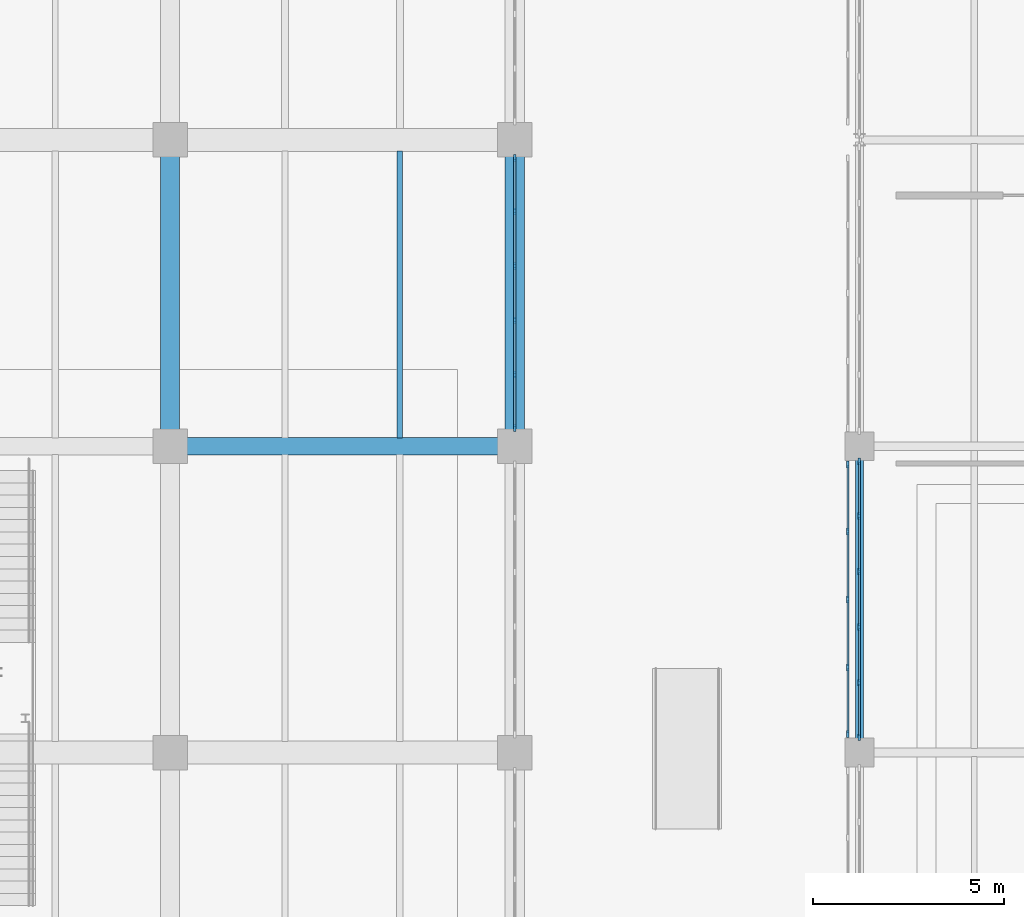
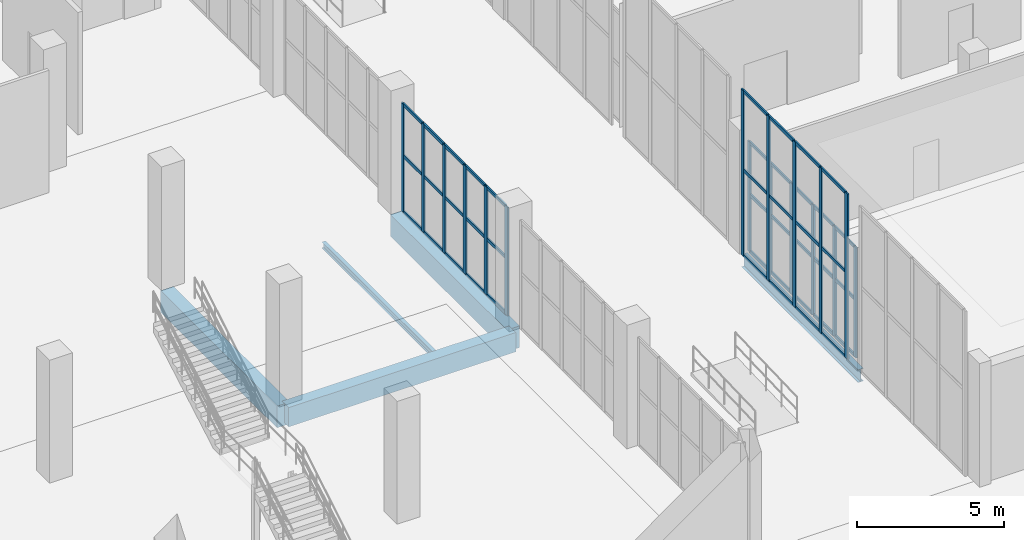
# One storey, part 41 of 103: 59 members, 5 beams, 3 elements without a shape of their own.
"""IFC4 building model written with IfcOpenShell, lengths in metres."""

from ifc_helpers import new_model, si_unit, direction, frame, origin, origin_2d, place, context, subcontext, project, spatial, rectangle, i_section, extrude, material, layer, layer_set, material_profile, profile_set, type_object, element, aggregate, save


model = new_model("IFC4")

# Units and contexts
model_context = context("Model", 3, precision=1e-05, world=origin(), true_north=direction((0.0, 1.0)))
body_context = subcontext(model_context, "Body", "Model", "MODEL_VIEW")
ifc_project = project(units=[si_unit("LENGTHUNIT", "METRE"), si_unit("AREAUNIT", "SQUARE_METRE"), si_unit("VOLUMEUNIT", "CUBIC_METRE"), si_unit("PLANEANGLEUNIT", "RADIAN"), si_unit("MASSUNIT", "GRAM", prefix="KILO")], contexts=[model_context])

# Site, building, storey
site_placement = place(None, origin())
site = spatial("IfcSite", under=ifc_project, at=site_placement, CompositionType="ELEMENT")
building_placement = place(site_placement, origin())
building = spatial("IfcBuilding", under=site, at=building_placement, Name="Marnock Terrace Opera House", CompositionType="ELEMENT")
storey_placement = place(building_placement, origin())
storey = spatial("IfcBuildingStorey", under=building, at=storey_placement, Name="L00", CompositionType="ELEMENT", Elevation=0.0)

# Beams
ifc_material_1 = material(Name="Concrete N40 (f'c = 40 MPa)", Category="concrete")
ifc_material_profile_1 = material_profile(ifc_material_1, rectangle(XDim=0.449951171875, YDim=0.800048828125, at=origin_2d()))
ifc_profile_set_1 = profile_set([ifc_material_profile_1], Name="Concrete N40 (f'c = 40 MPa)")
beam_type_1 = type_object("IfcBeamType", Name="BM-B1-RC450", PredefinedType="BEAM", material=ifc_profile_set_1)
beam_1_placement = place(storey_placement, frame((100.050048828125, 24.0, -0.699951171875), z_axis=(1.0, 0.0, 0.0), x_axis=(0.0, 1.0, 0.0)))
element("IfcBeam", 1, at=beam_1_placement, inside=storey, type_object=beam_type_1, Name="L00 girder (100.0..109.0, Y=24.0)", PredefinedType="BEAM", context=body_context, shape_type="SweptSolid", body=[
    extrude(rectangle(XDim=0.449951171875, YDim=0.800048828125, at=origin_2d()), origin(), (0.0, 0.0, 1.0), 8.89990234375),
])
ifc_material_profile_2 = material_profile(ifc_material_1, rectangle(XDim=0.5, YDim=0.89990234375, at=origin_2d()))
ifc_profile_set_2 = profile_set([ifc_material_profile_2], Name="Concrete N40 (f'c = 40 MPa)")
beam_type_2 = type_object("IfcBeamType", Name="BM-B1-RC500", PredefinedType="BEAM", material=ifc_profile_set_2)
for number, where, z_axis, x_axis, name in (
    (2, (100.0, 24.050048828125, -0.75), (0.0, 1.0, 0.0), (-1.0, 0.0, 0.0), "L00 girder (X=100.0, 24.0..32.0)"),
    (3, (109.0, 24.050048828125, -0.75), (0.0, 1.0, 0.0), (-1.0, 0.0, 0.0), "L00 girder (X=109.0, 24.0..32.0)"),
):
    element("IfcBeam", number, at=place(storey_placement, frame(where, z_axis=z_axis, x_axis=x_axis)), inside=storey, type_object=beam_type_2, Name=name, PredefinedType="BEAM", context=body_context, shape_type="SweptSolid", body=[
        extrude(rectangle(XDim=0.5, YDim=0.89990234375, at=origin_2d()), origin(), (0.0, 0.0, 1.0), 7.89990234375),
    ])
ifc_material_2 = material(Name="Steel Grade 350 (AS/NZS 3679.1)", Category="steel")
ifc_material_profile_3 = material_profile(ifc_material_2, i_section(OverallWidth=0.208984375, OverallDepth=0.528076171875, WebThickness=0.009521484375, FlangeThickness=0.01318359375, FilletRadius=0.013916015625, at=origin_2d()))
ifc_profile_set_3 = profile_set([ifc_material_profile_3], Name="Steel Grade 350 (AS/NZS 3679.1)")
beam_type_3 = type_object("IfcBeamType", Name="BM-GIRD-530B", PredefinedType="BEAM", material=ifc_profile_set_3)
beam_2_placement = place(storey_placement, frame((118.0, 16.050048828125, -0.56396484375), z_axis=(0.0, 1.0, 0.0), x_axis=(-1.0, 0.0, 0.0)))
element("IfcBeam", 4, at=beam_2_placement, inside=storey, type_object=beam_type_3, Name="L00 girder (X=118.0, 16.0..24.0)", PredefinedType="BEAM", context=body_context, shape_type="SweptSolid", body=[
    extrude(i_section(OverallWidth=0.208984375, OverallDepth=0.528076171875, WebThickness=0.009521484375, FlangeThickness=0.01318359375, FilletRadius=0.013916015625, at=origin_2d()), origin(), (0.0, 0.0, 1.0), 7.89990234375),
])
ifc_material_profile_4 = material_profile(ifc_material_2, i_section(OverallWidth=0.14599609375, OverallDepth=0.256103515625, WebThickness=0.00634765625, FlangeThickness=0.010986328125, FilletRadius=0.0087890625, at=origin_2d()))
ifc_profile_set_4 = profile_set([ifc_material_profile_4], Name="Steel Grade 350 (AS/NZS 3679.1)")
beam_type_4 = type_object("IfcBeamType", Name="BM-JOIST-250", PredefinedType="JOIST", material=ifc_profile_set_4)
beam_3_placement = place(storey_placement, frame((106.0, 24.219970703125, -0.427978515625), z_axis=(0.0, 1.0, 0.0), x_axis=(-1.0, 0.0, 0.0)))
element("IfcBeam", 5, at=beam_3_placement, inside=storey, type_object=beam_type_4, Name="L00 secondary joist 11.3.2", PredefinedType="JOIST", context=body_context, shape_type="SweptSolid", body=[
    extrude(i_section(OverallWidth=0.14599609375, OverallDepth=0.256103515625, WebThickness=0.00634765625, FlangeThickness=0.010986328125, FilletRadius=0.0087890625, at=origin_2d()), origin(), (0.0, 0.0, 1.0), 7.485107421875),
])

# Curtain wall, members
ifc_material_3 = material(Name="Anodised architectural bronze aluminium framing", Category="aluminium")
ifc_layer_1 = layer(ifc_material_3, 0.159912109375)
ifc_layer_set_1 = layer_set([ifc_layer_1], Name="Anodised architectural bronze aluminium framing")
curtain_wall_type_1 = type_object("IfcCurtainWallType", Name="CW-FOYER-80x51", PredefinedType="NOTDEFINED", material=ifc_layer_set_1)
curtain_wall_1_placement = place(storey_placement, origin())
curtain_wall_1 = element("IfcCurtainWall", 6, at=curtain_wall_1_placement, inside=storey, type_object=curtain_wall_type_1, Name="L00 glazed Beaux-Arts colonnade curtain wall CW-V1E-L00-03", PredefinedType="NOTDEFINED")
ifc_material_profile_5 = material_profile(ifc_material_3, rectangle(XDim=0.06494140625, YDim=0.179931640625, at=origin_2d()))
ifc_profile_set_5 = profile_set([ifc_material_profile_5], Name="Anodised architectural bronze aluminium framing")
member_type_1 = type_object("IfcMemberType", Name="CWM-65x180", PredefinedType="MULLION", material=ifc_profile_set_5)
member_1_placement = place(storey_placement, frame((109.0, 24.47607421875, 0.0), z_axis=(0.0, 0.0, 1.0), x_axis=(-1.0, 0.0, 0.0)))
member_1 = element("IfcMember", 7, at=member_1_placement, type_object=member_type_1, Name="CW-73 mullion 1", PredefinedType="MULLION", context=body_context, shape_type="SweptSolid", body=[
    extrude(rectangle(XDim=0.06494140625, YDim=0.179931640625, at=origin_2d()), origin(), (0.0, 0.0, 1.0), 4.488037109375),
])
member_2_placement = place(storey_placement, frame((109.0, 25.86767578125, 0.0), z_axis=(0.0, 0.0, 1.0), x_axis=(-1.0, 0.0, 0.0)))
member_2 = element("IfcMember", 8, at=member_2_placement, type_object=member_type_1, Name="CW-73 mullion 2", PredefinedType="MULLION", context=body_context, shape_type="SweptSolid", body=[
    extrude(rectangle(XDim=0.06494140625, YDim=0.179931640625, at=origin_2d()), origin(), (0.0, 0.0, 1.0), 4.488037109375),
])
member_3_placement = place(storey_placement, frame((109.0, 27.289306640625, 0.0), z_axis=(0.0, 0.0, 1.0), x_axis=(-1.0, 0.0, 0.0)))
member_3 = element("IfcMember", 9, at=member_3_placement, type_object=member_type_1, Name="CW-73 mullion 3", PredefinedType="MULLION", context=body_context, shape_type="SweptSolid", body=[
    extrude(rectangle(XDim=0.06494140625, YDim=0.179931640625, at=origin_2d()), origin(), (0.0, 0.0, 1.0), 4.488037109375),
])
member_4_placement = place(storey_placement, frame((109.0, 28.710693359375, 0.0), z_axis=(0.0, 0.0, 1.0), x_axis=(-1.0, 0.0, 0.0)))
member_4 = element("IfcMember", 10, at=member_4_placement, type_object=member_type_1, Name="CW-73 mullion 4", PredefinedType="MULLION", context=body_context, shape_type="SweptSolid", body=[
    extrude(rectangle(XDim=0.06494140625, YDim=0.179931640625, at=origin_2d()), origin(), (0.0, 0.0, 1.0), 4.488037109375),
])
member_5_placement = place(storey_placement, frame((109.0, 30.13232421875, 0.0), z_axis=(0.0, 0.0, 1.0), x_axis=(-1.0, 0.0, 0.0)))
member_5 = element("IfcMember", 11, at=member_5_placement, type_object=member_type_1, Name="CW-73 mullion 5", PredefinedType="MULLION", context=body_context, shape_type="SweptSolid", body=[
    extrude(rectangle(XDim=0.06494140625, YDim=0.179931640625, at=origin_2d()), origin(), (0.0, 0.0, 1.0), 4.488037109375),
])
member_6_placement = place(storey_placement, frame((109.0, 31.52392578125, 0.0), z_axis=(0.0, 0.0, 1.0), x_axis=(-1.0, 0.0, 0.0)))
member_6 = element("IfcMember", 12, at=member_6_placement, type_object=member_type_1, Name="CW-73 mullion 6", PredefinedType="MULLION", context=body_context, shape_type="SweptSolid", body=[
    extrude(rectangle(XDim=0.06494140625, YDim=0.179931640625, at=origin_2d()), origin(), (0.0, 0.0, 1.0), 4.488037109375),
])

ifc_layer_2 = layer(ifc_material_3, 0.159912109375)
ifc_layer_set_2 = layer_set([ifc_layer_2], Name="Anodised architectural bronze aluminium framing")
curtain_wall_type_2 = type_object("IfcCurtainWallType", Name="CW-LOGGIA-86x51", PredefinedType="NOTDEFINED", material=ifc_layer_set_2)
curtain_wall_2_placement = place(storey_placement, origin())
curtain_wall_2 = element("IfcCurtainWall", 13, at=curtain_wall_2_placement, inside=storey, type_object=curtain_wall_type_2, Name="L00 glazed Beaux-Arts colonnade curtain wall CW-V5-L00-W2", PredefinedType="NOTDEFINED")
member_7_placement = place(storey_placement, frame((118.0, 16.40087890625, 0.0), z_axis=(0.0, 0.0, 1.0), x_axis=(-1.0, 0.0, 0.0)))
member_7 = element("IfcMember", 14, at=member_7_placement, type_object=member_type_1, Name="CW-96 mullion 1", PredefinedType="MULLION", context=body_context, shape_type="SweptSolid", body=[
    extrude(rectangle(XDim=0.06494140625, YDim=0.179931640625, at=origin_2d()), origin(), (0.0, 0.0, 1.0), 4.56201171875),
])
member_8_placement = place(storey_placement, frame((118.0, 17.822509765625, 0.0), z_axis=(0.0, 0.0, 1.0), x_axis=(-1.0, 0.0, 0.0)))
member_8 = element("IfcMember", 15, at=member_8_placement, type_object=member_type_1, Name="CW-96 mullion 2", PredefinedType="MULLION", context=body_context, shape_type="SweptSolid", body=[
    extrude(rectangle(XDim=0.06494140625, YDim=0.179931640625, at=origin_2d()), origin(), (0.0, 0.0, 1.0), 4.56201171875),
])
member_9_placement = place(storey_placement, frame((118.0, 19.274169921875, 0.0), z_axis=(0.0, 0.0, 1.0), x_axis=(-1.0, 0.0, 0.0)))
member_9 = element("IfcMember", 16, at=member_9_placement, type_object=member_type_1, Name="CW-96 mullion 3", PredefinedType="MULLION", context=body_context, shape_type="SweptSolid", body=[
    extrude(rectangle(XDim=0.06494140625, YDim=0.179931640625, at=origin_2d()), origin(), (0.0, 0.0, 1.0), 4.56201171875),
])
member_10_placement = place(storey_placement, frame((118.0, 20.725830078125, 0.0), z_axis=(0.0, 0.0, 1.0), x_axis=(-1.0, 0.0, 0.0)))
member_10 = element("IfcMember", 17, at=member_10_placement, type_object=member_type_1, Name="CW-96 mullion 4", PredefinedType="MULLION", context=body_context, shape_type="SweptSolid", body=[
    extrude(rectangle(XDim=0.06494140625, YDim=0.179931640625, at=origin_2d()), origin(), (0.0, 0.0, 1.0), 4.56201171875),
])
member_11_placement = place(storey_placement, frame((118.0, 22.177490234375, 0.0), z_axis=(0.0, 0.0, 1.0), x_axis=(-1.0, 0.0, 0.0)))
member_11 = element("IfcMember", 18, at=member_11_placement, type_object=member_type_1, Name="CW-96 mullion 5", PredefinedType="MULLION", context=body_context, shape_type="SweptSolid", body=[
    extrude(rectangle(XDim=0.06494140625, YDim=0.179931640625, at=origin_2d()), origin(), (0.0, 0.0, 1.0), 4.56201171875),
])
member_12_placement = place(storey_placement, frame((118.0, 23.59912109375, 0.0), z_axis=(0.0, 0.0, 1.0), x_axis=(-1.0, 0.0, 0.0)))
member_12 = element("IfcMember", 19, at=member_12_placement, type_object=member_type_1, Name="CW-96 mullion 6", PredefinedType="MULLION", context=body_context, shape_type="SweptSolid", body=[
    extrude(rectangle(XDim=0.06494140625, YDim=0.179931640625, at=origin_2d()), origin(), (0.0, 0.0, 1.0), 4.56201171875),
])

ifc_layer_3 = layer(ifc_material_3, 0.159912109375)
ifc_layer_set_3 = layer_set([ifc_layer_3], Name="Anodised architectural bronze aluminium framing")
curtain_wall_type_3 = type_object("IfcCurtainWallType", Name="CW-PASSAGE-71x68", PredefinedType="NOTDEFINED", material=ifc_layer_set_3)
curtain_wall_3_placement = place(storey_placement, origin())
curtain_wall_3 = element("IfcCurtainWall", 20, at=curtain_wall_3_placement, inside=storey, type_object=curtain_wall_type_3, Name="L00 glazed Beaux-Arts colonnade curtain wall CW-PASSAGE-L00-02", PredefinedType="NOTDEFINED")
member_13_placement = place(storey_placement, frame((117.699951171875, 16.47998046875, 0.0), z_axis=(0.0, 0.0, 1.0), x_axis=(-1.0, 0.0, 0.0)))
member_13 = element("IfcMember", 21, at=member_13_placement, type_object=member_type_1, Name="CW-33 mullion 1", PredefinedType="MULLION", context=body_context, shape_type="SweptSolid", body=[
    extrude(rectangle(XDim=0.06494140625, YDim=0.179931640625, at=origin_2d()), origin(), (0.0, 0.0, 1.0), 6.85009765625),
])
member_14_placement = place(storey_placement, frame((117.699951171875, 18.22509765625, 0.0), z_axis=(0.0, 0.0, 1.0), x_axis=(-1.0, 0.0, 0.0)))
member_14 = element("IfcMember", 22, at=member_14_placement, type_object=member_type_1, Name="CW-33 mullion 2", PredefinedType="MULLION", context=body_context, shape_type="SweptSolid", body=[
    extrude(rectangle(XDim=0.06494140625, YDim=0.179931640625, at=origin_2d()), origin(), (0.0, 0.0, 1.0), 6.85009765625),
])
member_15_placement = place(storey_placement, frame((117.699951171875, 20.0, 0.0), z_axis=(0.0, 0.0, 1.0), x_axis=(-1.0, 0.0, 0.0)))
member_15 = element("IfcMember", 23, at=member_15_placement, type_object=member_type_1, Name="CW-33 mullion 3", PredefinedType="MULLION", context=body_context, shape_type="SweptSolid", body=[
    extrude(rectangle(XDim=0.06494140625, YDim=0.179931640625, at=origin_2d()), origin(), (0.0, 0.0, 1.0), 6.85009765625),
])
member_16_placement = place(storey_placement, frame((117.699951171875, 21.77490234375, 0.0), z_axis=(0.0, 0.0, 1.0), x_axis=(-1.0, 0.0, 0.0)))
member_16 = element("IfcMember", 24, at=member_16_placement, type_object=member_type_1, Name="CW-33 mullion 4", PredefinedType="MULLION", context=body_context, shape_type="SweptSolid", body=[
    extrude(rectangle(XDim=0.06494140625, YDim=0.179931640625, at=origin_2d()), origin(), (0.0, 0.0, 1.0), 6.85009765625),
])
member_17_placement = place(storey_placement, frame((117.699951171875, 23.52001953125, 0.0), z_axis=(0.0, 0.0, 1.0), x_axis=(-1.0, 0.0, 0.0)))
member_17 = element("IfcMember", 25, at=member_17_placement, type_object=member_type_1, Name="CW-33 mullion 5", PredefinedType="MULLION", context=body_context, shape_type="SweptSolid", body=[
    extrude(rectangle(XDim=0.06494140625, YDim=0.179931640625, at=origin_2d()), origin(), (0.0, 0.0, 1.0), 6.85009765625),
])

# Member
ifc_material_profile_6 = material_profile(ifc_material_3, rectangle(XDim=0.06005859375, YDim=0.1298828125, at=origin_2d()))
ifc_profile_set_6 = profile_set([ifc_material_profile_6], Name="Anodised architectural bronze aluminium framing")
member_type_2 = type_object("IfcMemberType", Name="CWT-60x130", PredefinedType="USERDEFINED", material=ifc_profile_set_6)
member_18_placement = place(storey_placement, frame((109.0, 24.506103515625, 0.030029296875), z_axis=(0.0, 1.0, 0.0), x_axis=(-1.0, 0.0, 0.0)))
member_18 = element("IfcMember", 26, at=member_18_placement, type_object=member_type_2, Name="CW-73 transom 1.1", ObjectType="TRANSOM", PredefinedType="USERDEFINED", context=body_context, shape_type="SweptSolid", body=[
    extrude(rectangle(XDim=0.06005859375, YDim=0.1298828125, at=origin_2d()), origin(), (0.0, 0.0, 1.0), 1.33154296875),
])

member_19_placement = place(storey_placement, frame((109.0, 24.506103515625, 2.333740234375), z_axis=(0.0, 1.0, 0.0), x_axis=(-1.0, 0.0, 0.0)))
member_19 = element("IfcMember", 27, at=member_19_placement, type_object=member_type_2, Name="CW-73 transom 1.2", ObjectType="TRANSOM", PredefinedType="USERDEFINED", context=body_context, shape_type="SweptSolid", body=[
    extrude(rectangle(XDim=0.06005859375, YDim=0.1298828125, at=origin_2d()), origin(), (0.0, 0.0, 1.0), 1.33154296875),
])

member_20_placement = place(storey_placement, frame((109.0, 24.506103515625, 4.4580078125), z_axis=(0.0, 1.0, 0.0), x_axis=(-1.0, 0.0, 0.0)))
member_20 = element("IfcMember", 28, at=member_20_placement, type_object=member_type_2, Name="CW-73 transom 1.3", ObjectType="TRANSOM", PredefinedType="USERDEFINED", context=body_context, shape_type="SweptSolid", body=[
    extrude(rectangle(XDim=0.06005859375, YDim=0.1298828125, at=origin_2d()), origin(), (0.0, 0.0, 1.0), 1.33154296875),
])

member_21_placement = place(storey_placement, frame((109.0, 25.897705078125, 0.030029296875), z_axis=(0.0, 1.0, 0.0), x_axis=(-1.0, 0.0, 0.0)))
member_21 = element("IfcMember", 29, at=member_21_placement, type_object=member_type_2, Name="CW-73 transom 2.1", ObjectType="TRANSOM", PredefinedType="USERDEFINED", context=body_context, shape_type="SweptSolid", body=[
    extrude(rectangle(XDim=0.06005859375, YDim=0.1298828125, at=origin_2d()), origin(), (0.0, 0.0, 1.0), 1.361572265625),
])

member_22_placement = place(storey_placement, frame((109.0, 25.897705078125, 2.333740234375), z_axis=(0.0, 1.0, 0.0), x_axis=(-1.0, 0.0, 0.0)))
member_22 = element("IfcMember", 30, at=member_22_placement, type_object=member_type_2, Name="CW-73 transom 2.2", ObjectType="TRANSOM", PredefinedType="USERDEFINED", context=body_context, shape_type="SweptSolid", body=[
    extrude(rectangle(XDim=0.06005859375, YDim=0.1298828125, at=origin_2d()), origin(), (0.0, 0.0, 1.0), 1.361572265625),
])

member_23_placement = place(storey_placement, frame((109.0, 25.897705078125, 4.4580078125), z_axis=(0.0, 1.0, 0.0), x_axis=(-1.0, 0.0, 0.0)))
member_23 = element("IfcMember", 31, at=member_23_placement, type_object=member_type_2, Name="CW-73 transom 2.3", ObjectType="TRANSOM", PredefinedType="USERDEFINED", context=body_context, shape_type="SweptSolid", body=[
    extrude(rectangle(XDim=0.06005859375, YDim=0.1298828125, at=origin_2d()), origin(), (0.0, 0.0, 1.0), 1.361572265625),
])

member_24_placement = place(storey_placement, frame((109.0, 27.319091796875, 0.030029296875), z_axis=(0.0, 1.0, 0.0), x_axis=(-1.0, 0.0, 0.0)))
member_24 = element("IfcMember", 32, at=member_24_placement, type_object=member_type_2, Name="CW-73 transom 3.1", ObjectType="TRANSOM", PredefinedType="USERDEFINED", context=body_context, shape_type="SweptSolid", body=[
    extrude(rectangle(XDim=0.06005859375, YDim=0.1298828125, at=origin_2d()), origin(), (0.0, 0.0, 1.0), 1.36181640625),
])

member_25_placement = place(storey_placement, frame((109.0, 27.319091796875, 2.333740234375), z_axis=(0.0, 1.0, 0.0), x_axis=(-1.0, 0.0, 0.0)))
member_25 = element("IfcMember", 33, at=member_25_placement, type_object=member_type_2, Name="CW-73 transom 3.2", ObjectType="TRANSOM", PredefinedType="USERDEFINED", context=body_context, shape_type="SweptSolid", body=[
    extrude(rectangle(XDim=0.06005859375, YDim=0.1298828125, at=origin_2d()), origin(), (0.0, 0.0, 1.0), 1.36181640625),
])

member_26_placement = place(storey_placement, frame((109.0, 27.319091796875, 4.4580078125), z_axis=(0.0, 1.0, 0.0), x_axis=(-1.0, 0.0, 0.0)))
member_26 = element("IfcMember", 34, at=member_26_placement, type_object=member_type_2, Name="CW-73 transom 3.3", ObjectType="TRANSOM", PredefinedType="USERDEFINED", context=body_context, shape_type="SweptSolid", body=[
    extrude(rectangle(XDim=0.06005859375, YDim=0.1298828125, at=origin_2d()), origin(), (0.0, 0.0, 1.0), 1.36181640625),
])

member_27_placement = place(storey_placement, frame((109.0, 28.74072265625, 0.030029296875), z_axis=(0.0, 1.0, 0.0), x_axis=(-1.0, 0.0, 0.0)))
member_27 = element("IfcMember", 35, at=member_27_placement, type_object=member_type_2, Name="CW-73 transom 4.1", ObjectType="TRANSOM", PredefinedType="USERDEFINED", context=body_context, shape_type="SweptSolid", body=[
    extrude(rectangle(XDim=0.06005859375, YDim=0.1298828125, at=origin_2d()), origin(), (0.0, 0.0, 1.0), 1.361572265625),
])

member_28_placement = place(storey_placement, frame((109.0, 28.74072265625, 2.333740234375), z_axis=(0.0, 1.0, 0.0), x_axis=(-1.0, 0.0, 0.0)))
member_28 = element("IfcMember", 36, at=member_28_placement, type_object=member_type_2, Name="CW-73 transom 4.2", ObjectType="TRANSOM", PredefinedType="USERDEFINED", context=body_context, shape_type="SweptSolid", body=[
    extrude(rectangle(XDim=0.06005859375, YDim=0.1298828125, at=origin_2d()), origin(), (0.0, 0.0, 1.0), 1.361572265625),
])

member_29_placement = place(storey_placement, frame((109.0, 28.74072265625, 4.4580078125), z_axis=(0.0, 1.0, 0.0), x_axis=(-1.0, 0.0, 0.0)))
member_29 = element("IfcMember", 37, at=member_29_placement, type_object=member_type_2, Name="CW-73 transom 4.3", ObjectType="TRANSOM", PredefinedType="USERDEFINED", context=body_context, shape_type="SweptSolid", body=[
    extrude(rectangle(XDim=0.06005859375, YDim=0.1298828125, at=origin_2d()), origin(), (0.0, 0.0, 1.0), 1.361572265625),
])

member_30_placement = place(storey_placement, frame((109.0, 30.162353515625, 0.030029296875), z_axis=(0.0, 1.0, 0.0), x_axis=(-1.0, 0.0, 0.0)))
member_30 = element("IfcMember", 38, at=member_30_placement, type_object=member_type_2, Name="CW-73 transom 5.1", ObjectType="TRANSOM", PredefinedType="USERDEFINED", context=body_context, shape_type="SweptSolid", body=[
    extrude(rectangle(XDim=0.06005859375, YDim=0.1298828125, at=origin_2d()), origin(), (0.0, 0.0, 1.0), 1.33154296875),
])

member_31_placement = place(storey_placement, frame((109.0, 30.162353515625, 2.333740234375), z_axis=(0.0, 1.0, 0.0), x_axis=(-1.0, 0.0, 0.0)))
member_31 = element("IfcMember", 39, at=member_31_placement, type_object=member_type_2, Name="CW-73 transom 5.2", ObjectType="TRANSOM", PredefinedType="USERDEFINED", context=body_context, shape_type="SweptSolid", body=[
    extrude(rectangle(XDim=0.06005859375, YDim=0.1298828125, at=origin_2d()), origin(), (0.0, 0.0, 1.0), 1.33154296875),
])

member_32_placement = place(storey_placement, frame((109.0, 30.162353515625, 4.4580078125), z_axis=(0.0, 1.0, 0.0), x_axis=(-1.0, 0.0, 0.0)))
member_32 = element("IfcMember", 40, at=member_32_placement, type_object=member_type_2, Name="CW-73 transom 5.3", ObjectType="TRANSOM", PredefinedType="USERDEFINED", context=body_context, shape_type="SweptSolid", body=[
    extrude(rectangle(XDim=0.06005859375, YDim=0.1298828125, at=origin_2d()), origin(), (0.0, 0.0, 1.0), 1.33154296875),
])

aggregate(curtain_wall_1, [member_1, member_2, member_3, member_4, member_5, member_6, member_18, member_19, member_20, member_21, member_22, member_23, member_24, member_25, member_26, member_27, member_28, member_29, member_30, member_31, member_32])

member_33_placement = place(storey_placement, frame((118.0, 16.430908203125, 0.030029296875), z_axis=(0.0, 1.0, 0.0), x_axis=(-1.0, 0.0, 0.0)))
member_33 = element("IfcMember", 41, at=member_33_placement, type_object=member_type_2, Name="CW-96 transom 1.1", ObjectType="TRANSOM", PredefinedType="USERDEFINED", context=body_context, shape_type="SweptSolid", body=[
    extrude(rectangle(XDim=0.06005859375, YDim=0.1298828125, at=origin_2d()), origin(), (0.0, 0.0, 1.0), 1.361572265625),
])

member_34_placement = place(storey_placement, frame((118.0, 16.430908203125, 2.372314453125), z_axis=(0.0, 1.0, 0.0), x_axis=(-1.0, 0.0, 0.0)))
member_34 = element("IfcMember", 42, at=member_34_placement, type_object=member_type_2, Name="CW-96 transom 1.2", ObjectType="TRANSOM", PredefinedType="USERDEFINED", context=body_context, shape_type="SweptSolid", body=[
    extrude(rectangle(XDim=0.06005859375, YDim=0.1298828125, at=origin_2d()), origin(), (0.0, 0.0, 1.0), 1.361572265625),
])

member_35_placement = place(storey_placement, frame((118.0, 16.430908203125, 4.531982421875), z_axis=(0.0, 1.0, 0.0), x_axis=(-1.0, 0.0, 0.0)))
member_35 = element("IfcMember", 43, at=member_35_placement, type_object=member_type_2, Name="CW-96 transom 1.3", ObjectType="TRANSOM", PredefinedType="USERDEFINED", context=body_context, shape_type="SweptSolid", body=[
    extrude(rectangle(XDim=0.06005859375, YDim=0.1298828125, at=origin_2d()), origin(), (0.0, 0.0, 1.0), 1.361572265625),
])

member_36_placement = place(storey_placement, frame((118.0, 17.8525390625, 0.030029296875), z_axis=(0.0, 1.0, 0.0), x_axis=(-1.0, 0.0, 0.0)))
member_36 = element("IfcMember", 44, at=member_36_placement, type_object=member_type_2, Name="CW-96 transom 2.1", ObjectType="TRANSOM", PredefinedType="USERDEFINED", context=body_context, shape_type="SweptSolid", body=[
    extrude(rectangle(XDim=0.06005859375, YDim=0.1298828125, at=origin_2d()), origin(), (0.0, 0.0, 1.0), 1.3916015625),
])

member_37_placement = place(storey_placement, frame((118.0, 17.8525390625, 2.372314453125), z_axis=(0.0, 1.0, 0.0), x_axis=(-1.0, 0.0, 0.0)))
member_37 = element("IfcMember", 45, at=member_37_placement, type_object=member_type_2, Name="CW-96 transom 2.2", ObjectType="TRANSOM", PredefinedType="USERDEFINED", context=body_context, shape_type="SweptSolid", body=[
    extrude(rectangle(XDim=0.06005859375, YDim=0.1298828125, at=origin_2d()), origin(), (0.0, 0.0, 1.0), 1.3916015625),
])

member_38_placement = place(storey_placement, frame((118.0, 17.8525390625, 4.531982421875), z_axis=(0.0, 1.0, 0.0), x_axis=(-1.0, 0.0, 0.0)))
member_38 = element("IfcMember", 46, at=member_38_placement, type_object=member_type_2, Name="CW-96 transom 2.3", ObjectType="TRANSOM", PredefinedType="USERDEFINED", context=body_context, shape_type="SweptSolid", body=[
    extrude(rectangle(XDim=0.06005859375, YDim=0.1298828125, at=origin_2d()), origin(), (0.0, 0.0, 1.0), 1.3916015625),
])

member_39_placement = place(storey_placement, frame((118.0, 19.30419921875, 0.030029296875), z_axis=(0.0, 1.0, 0.0), x_axis=(-1.0, 0.0, 0.0)))
member_39 = element("IfcMember", 47, at=member_39_placement, type_object=member_type_2, Name="CW-96 transom 3.1", ObjectType="TRANSOM", PredefinedType="USERDEFINED", context=body_context, shape_type="SweptSolid", body=[
    extrude(rectangle(XDim=0.06005859375, YDim=0.1298828125, at=origin_2d()), origin(), (0.0, 0.0, 1.0), 1.3916015625),
])

member_40_placement = place(storey_placement, frame((118.0, 19.30419921875, 2.372314453125), z_axis=(0.0, 1.0, 0.0), x_axis=(-1.0, 0.0, 0.0)))
member_40 = element("IfcMember", 48, at=member_40_placement, type_object=member_type_2, Name="CW-96 transom 3.2", ObjectType="TRANSOM", PredefinedType="USERDEFINED", context=body_context, shape_type="SweptSolid", body=[
    extrude(rectangle(XDim=0.06005859375, YDim=0.1298828125, at=origin_2d()), origin(), (0.0, 0.0, 1.0), 1.3916015625),
])

member_41_placement = place(storey_placement, frame((118.0, 19.30419921875, 4.531982421875), z_axis=(0.0, 1.0, 0.0), x_axis=(-1.0, 0.0, 0.0)))
member_41 = element("IfcMember", 49, at=member_41_placement, type_object=member_type_2, Name="CW-96 transom 3.3", ObjectType="TRANSOM", PredefinedType="USERDEFINED", context=body_context, shape_type="SweptSolid", body=[
    extrude(rectangle(XDim=0.06005859375, YDim=0.1298828125, at=origin_2d()), origin(), (0.0, 0.0, 1.0), 1.3916015625),
])

member_42_placement = place(storey_placement, frame((118.0, 20.755859375, 0.030029296875), z_axis=(0.0, 1.0, 0.0), x_axis=(-1.0, 0.0, 0.0)))
member_42 = element("IfcMember", 50, at=member_42_placement, type_object=member_type_2, Name="CW-96 transom 4.1", ObjectType="TRANSOM", PredefinedType="USERDEFINED", context=body_context, shape_type="SweptSolid", body=[
    extrude(rectangle(XDim=0.06005859375, YDim=0.1298828125, at=origin_2d()), origin(), (0.0, 0.0, 1.0), 1.3916015625),
])

member_43_placement = place(storey_placement, frame((118.0, 20.755859375, 2.372314453125), z_axis=(0.0, 1.0, 0.0), x_axis=(-1.0, 0.0, 0.0)))
member_43 = element("IfcMember", 51, at=member_43_placement, type_object=member_type_2, Name="CW-96 transom 4.2", ObjectType="TRANSOM", PredefinedType="USERDEFINED", context=body_context, shape_type="SweptSolid", body=[
    extrude(rectangle(XDim=0.06005859375, YDim=0.1298828125, at=origin_2d()), origin(), (0.0, 0.0, 1.0), 1.3916015625),
])

member_44_placement = place(storey_placement, frame((118.0, 20.755859375, 4.531982421875), z_axis=(0.0, 1.0, 0.0), x_axis=(-1.0, 0.0, 0.0)))
member_44 = element("IfcMember", 52, at=member_44_placement, type_object=member_type_2, Name="CW-96 transom 4.3", ObjectType="TRANSOM", PredefinedType="USERDEFINED", context=body_context, shape_type="SweptSolid", body=[
    extrude(rectangle(XDim=0.06005859375, YDim=0.1298828125, at=origin_2d()), origin(), (0.0, 0.0, 1.0), 1.3916015625),
])

member_45_placement = place(storey_placement, frame((118.0, 22.20751953125, 0.030029296875), z_axis=(0.0, 1.0, 0.0), x_axis=(-1.0, 0.0, 0.0)))
member_45 = element("IfcMember", 53, at=member_45_placement, type_object=member_type_2, Name="CW-96 transom 5.1", ObjectType="TRANSOM", PredefinedType="USERDEFINED", context=body_context, shape_type="SweptSolid", body=[
    extrude(rectangle(XDim=0.06005859375, YDim=0.1298828125, at=origin_2d()), origin(), (0.0, 0.0, 1.0), 1.361572265625),
])

member_46_placement = place(storey_placement, frame((118.0, 22.20751953125, 2.372314453125), z_axis=(0.0, 1.0, 0.0), x_axis=(-1.0, 0.0, 0.0)))
member_46 = element("IfcMember", 54, at=member_46_placement, type_object=member_type_2, Name="CW-96 transom 5.2", ObjectType="TRANSOM", PredefinedType="USERDEFINED", context=body_context, shape_type="SweptSolid", body=[
    extrude(rectangle(XDim=0.06005859375, YDim=0.1298828125, at=origin_2d()), origin(), (0.0, 0.0, 1.0), 1.361572265625),
])

member_47_placement = place(storey_placement, frame((118.0, 22.20751953125, 4.531982421875), z_axis=(0.0, 1.0, 0.0), x_axis=(-1.0, 0.0, 0.0)))
member_47 = element("IfcMember", 55, at=member_47_placement, type_object=member_type_2, Name="CW-96 transom 5.3", ObjectType="TRANSOM", PredefinedType="USERDEFINED", context=body_context, shape_type="SweptSolid", body=[
    extrude(rectangle(XDim=0.06005859375, YDim=0.1298828125, at=origin_2d()), origin(), (0.0, 0.0, 1.0), 1.361572265625),
])

aggregate(curtain_wall_2, [member_7, member_8, member_9, member_10, member_11, member_12, member_33, member_34, member_35, member_36, member_37, member_38, member_39, member_40, member_41, member_42, member_43, member_44, member_45, member_46, member_47])

member_48_placement = place(storey_placement, frame((117.699951171875, 16.510009765625, 0.030029296875), z_axis=(0.0, 1.0, 0.0), x_axis=(-1.0, 0.0, 0.0)))
member_48 = element("IfcMember", 56, at=member_48_placement, type_object=member_type_2, Name="CW-33 transom 1.1", ObjectType="TRANSOM", PredefinedType="USERDEFINED", context=body_context, shape_type="SweptSolid", body=[
    extrude(rectangle(XDim=0.06005859375, YDim=0.1298828125, at=origin_2d()), origin(), (0.0, 0.0, 1.0), 1.68505859375),
])

member_49_placement = place(storey_placement, frame((117.699951171875, 16.510009765625, 3.56201171875), z_axis=(0.0, 1.0, 0.0), x_axis=(-1.0, 0.0, 0.0)))
member_49 = element("IfcMember", 57, at=member_49_placement, type_object=member_type_2, Name="CW-33 transom 1.2", ObjectType="TRANSOM", PredefinedType="USERDEFINED", context=body_context, shape_type="SweptSolid", body=[
    extrude(rectangle(XDim=0.06005859375, YDim=0.1298828125, at=origin_2d()), origin(), (0.0, 0.0, 1.0), 1.68505859375),
])

member_50_placement = place(storey_placement, frame((117.699951171875, 16.510009765625, 6.820068359375), z_axis=(0.0, 1.0, 0.0), x_axis=(-1.0, 0.0, 0.0)))
member_50 = element("IfcMember", 58, at=member_50_placement, type_object=member_type_2, Name="CW-33 transom 1.3", ObjectType="TRANSOM", PredefinedType="USERDEFINED", context=body_context, shape_type="SweptSolid", body=[
    extrude(rectangle(XDim=0.06005859375, YDim=0.1298828125, at=origin_2d()), origin(), (0.0, 0.0, 1.0), 1.68505859375),
])

member_51_placement = place(storey_placement, frame((117.699951171875, 18.2548828125, 0.030029296875), z_axis=(0.0, 1.0, 0.0), x_axis=(-1.0, 0.0, 0.0)))
member_51 = element("IfcMember", 59, at=member_51_placement, type_object=member_type_2, Name="CW-33 transom 2.1", ObjectType="TRANSOM", PredefinedType="USERDEFINED", context=body_context, shape_type="SweptSolid", body=[
    extrude(rectangle(XDim=0.06005859375, YDim=0.1298828125, at=origin_2d()), origin(), (0.0, 0.0, 1.0), 1.715087890625),
])

member_52_placement = place(storey_placement, frame((117.699951171875, 18.2548828125, 3.56201171875), z_axis=(0.0, 1.0, 0.0), x_axis=(-1.0, 0.0, 0.0)))
member_52 = element("IfcMember", 60, at=member_52_placement, type_object=member_type_2, Name="CW-33 transom 2.2", ObjectType="TRANSOM", PredefinedType="USERDEFINED", context=body_context, shape_type="SweptSolid", body=[
    extrude(rectangle(XDim=0.06005859375, YDim=0.1298828125, at=origin_2d()), origin(), (0.0, 0.0, 1.0), 1.715087890625),
])

member_53_placement = place(storey_placement, frame((117.699951171875, 18.2548828125, 6.820068359375), z_axis=(0.0, 1.0, 0.0), x_axis=(-1.0, 0.0, 0.0)))
member_53 = element("IfcMember", 61, at=member_53_placement, type_object=member_type_2, Name="CW-33 transom 2.3", ObjectType="TRANSOM", PredefinedType="USERDEFINED", context=body_context, shape_type="SweptSolid", body=[
    extrude(rectangle(XDim=0.06005859375, YDim=0.1298828125, at=origin_2d()), origin(), (0.0, 0.0, 1.0), 1.715087890625),
])

member_54_placement = place(storey_placement, frame((117.699951171875, 20.030029296875, 0.030029296875), z_axis=(0.0, 1.0, 0.0), x_axis=(-1.0, 0.0, 0.0)))
member_54 = element("IfcMember", 62, at=member_54_placement, type_object=member_type_2, Name="CW-33 transom 3.1", ObjectType="TRANSOM", PredefinedType="USERDEFINED", context=body_context, shape_type="SweptSolid", body=[
    extrude(rectangle(XDim=0.06005859375, YDim=0.1298828125, at=origin_2d()), origin(), (0.0, 0.0, 1.0), 1.715087890625),
])

member_55_placement = place(storey_placement, frame((117.699951171875, 20.030029296875, 3.56201171875), z_axis=(0.0, 1.0, 0.0), x_axis=(-1.0, 0.0, 0.0)))
member_55 = element("IfcMember", 63, at=member_55_placement, type_object=member_type_2, Name="CW-33 transom 3.2", ObjectType="TRANSOM", PredefinedType="USERDEFINED", context=body_context, shape_type="SweptSolid", body=[
    extrude(rectangle(XDim=0.06005859375, YDim=0.1298828125, at=origin_2d()), origin(), (0.0, 0.0, 1.0), 1.715087890625),
])

member_56_placement = place(storey_placement, frame((117.699951171875, 20.030029296875, 6.820068359375), z_axis=(0.0, 1.0, 0.0), x_axis=(-1.0, 0.0, 0.0)))
member_56 = element("IfcMember", 64, at=member_56_placement, type_object=member_type_2, Name="CW-33 transom 3.3", ObjectType="TRANSOM", PredefinedType="USERDEFINED", context=body_context, shape_type="SweptSolid", body=[
    extrude(rectangle(XDim=0.06005859375, YDim=0.1298828125, at=origin_2d()), origin(), (0.0, 0.0, 1.0), 1.715087890625),
])

member_57_placement = place(storey_placement, frame((117.699951171875, 21.804931640625, 0.030029296875), z_axis=(0.0, 1.0, 0.0), x_axis=(-1.0, 0.0, 0.0)))
member_57 = element("IfcMember", 65, at=member_57_placement, type_object=member_type_2, Name="CW-33 transom 4.1", ObjectType="TRANSOM", PredefinedType="USERDEFINED", context=body_context, shape_type="SweptSolid", body=[
    extrude(rectangle(XDim=0.06005859375, YDim=0.1298828125, at=origin_2d()), origin(), (0.0, 0.0, 1.0), 1.68505859375),
])

member_58_placement = place(storey_placement, frame((117.699951171875, 21.804931640625, 3.56201171875), z_axis=(0.0, 1.0, 0.0), x_axis=(-1.0, 0.0, 0.0)))
member_58 = element("IfcMember", 66, at=member_58_placement, type_object=member_type_2, Name="CW-33 transom 4.2", ObjectType="TRANSOM", PredefinedType="USERDEFINED", context=body_context, shape_type="SweptSolid", body=[
    extrude(rectangle(XDim=0.06005859375, YDim=0.1298828125, at=origin_2d()), origin(), (0.0, 0.0, 1.0), 1.68505859375),
])

member_59_placement = place(storey_placement, frame((117.699951171875, 21.804931640625, 6.820068359375), z_axis=(0.0, 1.0, 0.0), x_axis=(-1.0, 0.0, 0.0)))
member_59 = element("IfcMember", 67, at=member_59_placement, type_object=member_type_2, Name="CW-33 transom 4.3", ObjectType="TRANSOM", PredefinedType="USERDEFINED", context=body_context, shape_type="SweptSolid", body=[
    extrude(rectangle(XDim=0.06005859375, YDim=0.1298828125, at=origin_2d()), origin(), (0.0, 0.0, 1.0), 1.68505859375),
])

aggregate(curtain_wall_3, [member_13, member_14, member_15, member_16, member_17, member_48, member_49, member_50, member_51, member_52, member_53, member_54, member_55, member_56, member_57, member_58, member_59])

save(model, "model.ifc")
